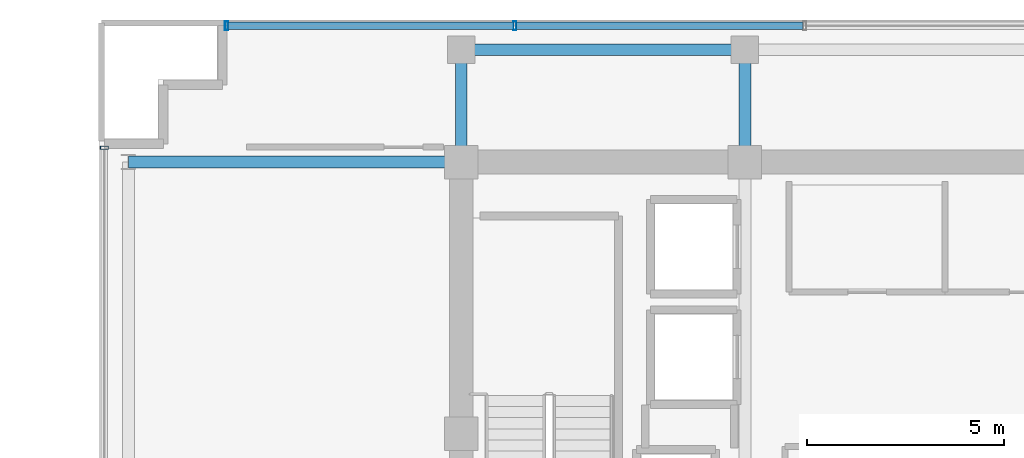
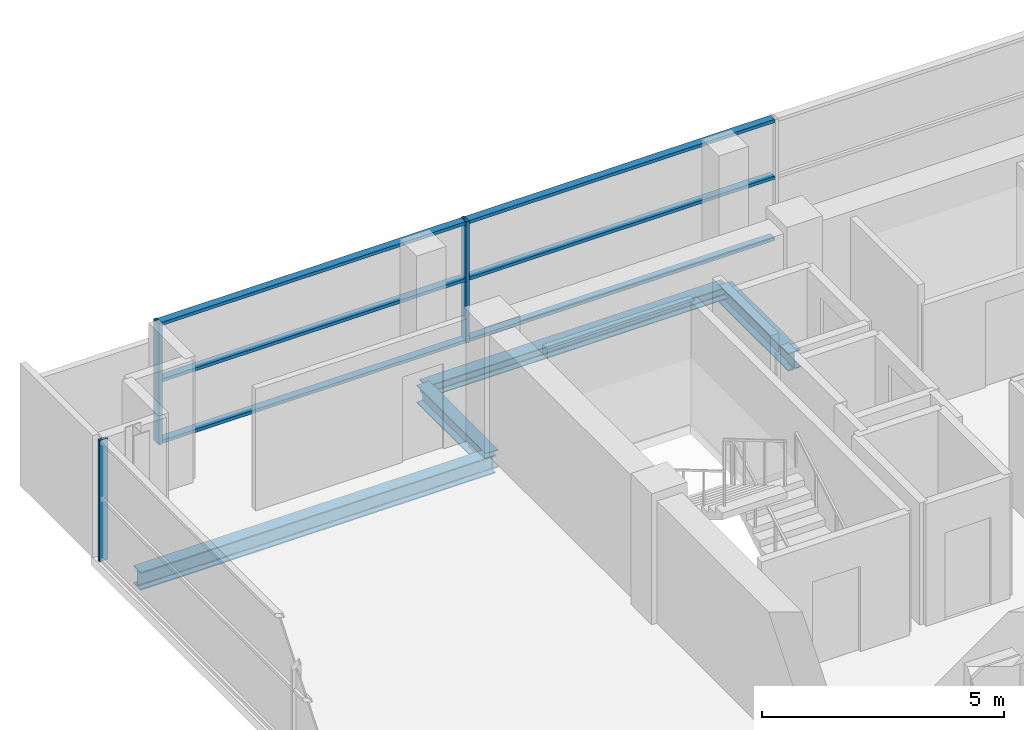
# One storey, part 11 of 22: 9 members, 4 beams, 2 elements without a shape of their own.
"""IFC4 building model written with IfcOpenShell, lengths in metres."""

from ifc_helpers import new_model, si_unit, direction, frame, origin, origin_2d, place, context, subcontext, project, spatial, hollow_rectangle, i_section, extrude, source, transform, mapped, material, layer, layer_set, material_profile, profile_set, type_object, element, aggregate, save


model = new_model("IFC4")

# Units and contexts
model_context = context("Model", 3, precision=1e-05, world=origin(), true_north=direction((0.0, 1.0)))
body_context = subcontext(model_context, "Body", "Model", "MODEL_VIEW")
ifc_project = project(units=[si_unit("LENGTHUNIT", "METRE"), si_unit("AREAUNIT", "SQUARE_METRE"), si_unit("VOLUMEUNIT", "CUBIC_METRE"), si_unit("PLANEANGLEUNIT", "RADIAN"), si_unit("MASSUNIT", "GRAM", prefix="KILO")], contexts=[model_context])

# Site, building, storey
site_placement = place(None, origin())
site = spatial("IfcSite", under=ifc_project, at=site_placement, CompositionType="ELEMENT")
building_placement = place(site_placement, origin())
building = spatial("IfcBuilding", under=site, at=building_placement, Name="Zarnakvel Exchange Tower", CompositionType="ELEMENT")
storey_placement = place(building_placement, frame((0.0, 0.0, 228.699951171875)))
storey = spatial("IfcBuildingStorey", under=building, at=storey_placement, Name="L64", CompositionType="ELEMENT", Elevation=228.699951171875)

# Beams
ifc_material_1 = material(Name="Steel S355", Category="steel")
ifc_material_profile_1 = material_profile(ifc_material_1, i_section(OverallWidth=0.300048828125, OverallDepth=0.449951171875, WebThickness=0.013916015625, FlangeThickness=0.02587890625, FilletRadius=0.027099609375, at=origin_2d()))
ifc_profile_set_1 = profile_set([ifc_material_profile_1], Name="Steel S355")
beam_type_1 = type_object("IfcBeamType", Name="G-07", PredefinedType="BEAM", material=ifc_profile_set_1)
beam_1_placement = place(storey_placement, frame((-22.85009765625, 13.5, -0.449951171875), z_axis=(1.0, 0.0, 0.0), x_axis=(0.0, 1.0, 0.0)))
element("IfcBeam", 1, at=beam_1_placement, inside=storey, type_object=beam_type_1, Name="L64 Tower E-W Frame Beam", PredefinedType="BEAM", context=body_context, shape_type="SweptSolid", body=[
    extrude(i_section(OverallWidth=0.300048828125, OverallDepth=0.449951171875, WebThickness=0.013916015625, FlangeThickness=0.02587890625, FilletRadius=0.027099609375, at=origin_2d()), origin(), (0.0, 0.0, 1.0), 8.4501953125),
])
for number, where, z_axis, x_axis, name in (
    (2, (-14.39990234375, 13.5, -0.449951171875), (0.0, 1.0, 0.0), (-1.0, 0.0, 0.0), "L64 Tower N-S Frame Beam"),
    (3, (-7.199951171875, 13.5, -0.449951171875), (0.0, 1.0, 0.0), (-1.0, 0.0, 0.0), "L64 Tower N-S Frame Beam"),
):
    element("IfcBeam", number, at=place(storey_placement, frame(where, z_axis=z_axis, x_axis=x_axis)), inside=storey, type_object=beam_type_1, Name=name, PredefinedType="BEAM", context=body_context, shape_type="SweptSolid", body=[
        extrude(i_section(OverallWidth=0.300048828125, OverallDepth=0.449951171875, WebThickness=0.013916015625, FlangeThickness=0.02587890625, FilletRadius=0.027099609375, at=origin_2d()), origin(), (0.0, 0.0, 1.0), 2.85009765625),
    ])
ifc_material_profile_2 = material_profile(ifc_material_1, i_section(OverallWidth=0.300048828125, OverallDepth=0.300048828125, WebThickness=0.010986328125, FlangeThickness=0.01904296875, FilletRadius=0.027099609375, at=origin_2d()))
ifc_profile_set_2 = profile_set([ifc_material_profile_2], Name="Steel S355")
beam_type_2 = type_object("IfcBeamType", Name="SP-03", PredefinedType="SPANDREL", material=ifc_profile_set_2)
beam_2_placement = place(storey_placement, frame((-14.39990234375, 16.35009765625, -0.375), z_axis=(1.0, 0.0, 0.0), x_axis=(0.0, 1.0, 0.0)))
element("IfcBeam", 4, at=beam_2_placement, inside=storey, type_object=beam_type_2, Name="L64 Tower E-W Frame Beam", PredefinedType="SPANDREL", context=body_context, shape_type="SweptSolid", body=[
    extrude(i_section(OverallWidth=0.300048828125, OverallDepth=0.300048828125, WebThickness=0.010986328125, FlangeThickness=0.01904296875, FilletRadius=0.027099609375, at=origin_2d()), origin(), (0.0, 0.0, 1.0), 7.199951171875),
])

# Curtain wall, member
ifc_material_2 = material(Name="Architectural Bronze Anodised Aluminium", Category="aluminium")
ifc_layer_1 = layer(ifc_material_2, 0.199951171875)
ifc_layer_set_1 = layer_set([ifc_layer_1], Name="Architectural Bronze Anodised Aluminium")
curtain_wall_type_1 = type_object("IfcCurtainWallType", Name="CW-04", PredefinedType="NOTDEFINED", material=ifc_layer_set_1)
curtain_wall_1_placement = place(storey_placement, origin())
curtain_wall_1 = element("IfcCurtainWall", 5, at=curtain_wall_1_placement, inside=storey, type_object=curtain_wall_type_1, Name="L64 Curtain Wall CW-L64-WN (CW-04)", PredefinedType="NOTDEFINED")
ifc_material_profile_3 = material_profile(ifc_material_2, hollow_rectangle(XDim=0.199951171875, YDim=0.074951171875, WallThickness=0.0048828125, at=origin_2d()))
ifc_profile_set_3 = profile_set([ifc_material_profile_3], Name="Architectural Bronze Anodised Aluminium")
member_type_1 = type_object("IfcMemberType", Name="CWM-04", PredefinedType="MULLION", material=ifc_profile_set_3)
shared_shape_1 = source(origin(), body_context, "Body", "SweptSolid", [
    extrude(hollow_rectangle(XDim=0.199951171875, YDim=0.074951171875, WallThickness=0.0048828125, at=origin_2d()), origin(), (0.0, 0.0, 1.0), 3.054931640625),
])
member_1_placement = place(storey_placement, frame((-23.4599609375, 13.862548828125, 0.0), z_axis=(0.0, 0.0, 1.0), x_axis=(-1.0, 0.0, 0.0)))
member_1 = element("IfcMember", 6, at=member_1_placement, type_object=member_type_1, Name="CW-04 mullion 3", PredefinedType="MULLION", context=body_context, shape_type="MappedRepresentation", body=[
    mapped(shared_shape_1, transform((0.0, 0.0, 0.0), x_axis=(1.0, 0.0, 0.0), y_axis=(0.0, 1.0, 0.0), z_axis=(0.0, 0.0, 1.0), scale=1.0)),
])
aggregate(curtain_wall_1, [member_1])

# Curtain wall, members
ifc_layer_2 = layer(ifc_material_2, 0.219970703125)
ifc_layer_set_2 = layer_set([ifc_layer_2], Name="Architectural Bronze Anodised Aluminium")
curtain_wall_type_2 = type_object("IfcCurtainWallType", Name="CW-03", PredefinedType="NOTDEFINED", material=ifc_layer_set_2)
curtain_wall_2_placement = place(storey_placement, origin())
curtain_wall_2 = element("IfcCurtainWall", 7, at=curtain_wall_2_placement, inside=storey, type_object=curtain_wall_type_2, Name="L64 Curtain Wall CW-L64-N1 (CW-03)", PredefinedType="NOTDEFINED")
ifc_material_profile_4 = material_profile(ifc_material_2, hollow_rectangle(XDim=0.219970703125, YDim=0.080078125, WallThickness=0.0048828125, at=origin_2d()))
ifc_profile_set_4 = profile_set([ifc_material_profile_4], Name="Architectural Bronze Anodised Aluminium")
member_type_2 = type_object("IfcMemberType", Name="CWM-03", PredefinedType="MULLION", material=ifc_profile_set_4)
shared_shape_2 = source(origin(), body_context, "Body", "SweptSolid", [
    extrude(hollow_rectangle(XDim=0.219970703125, YDim=0.080078125, WallThickness=0.0048828125, at=origin_2d()), origin(), (0.0, 0.0, 1.0), 3.054931640625),
])
member_2_placement = place(storey_placement, frame((-20.360107421875, 16.9599609375, 0.0), z_axis=(0.0, 0.0, 1.0), x_axis=(0.0, 1.0, 0.0)))
member_2 = element("IfcMember", 8, at=member_2_placement, type_object=member_type_2, Name="CW-03 mullion 1", PredefinedType="MULLION", context=body_context, shape_type="MappedRepresentation", body=[
    mapped(shared_shape_2, transform((0.0, 0.0, 0.0), x_axis=(1.0, 0.0, 0.0), y_axis=(0.0, 1.0, 0.0), z_axis=(0.0, 0.0, 1.0), scale=1.0)),
])
member_3_placement = place(storey_placement, frame((-13.0400390625, 16.9599609375, 0.0), z_axis=(0.0, 0.0, 1.0), x_axis=(0.0, 1.0, 0.0)))
member_3 = element("IfcMember", 9, at=member_3_placement, type_object=member_type_2, Name="CW-03 mullion 2", PredefinedType="MULLION", context=body_context, shape_type="MappedRepresentation", body=[
    mapped(shared_shape_2, transform((0.0, 0.0, 0.0), x_axis=(1.0, 0.0, 0.0), y_axis=(0.0, 1.0, 0.0), z_axis=(0.0, 0.0, 1.0), scale=1.0)),
])
ifc_material_profile_5 = material_profile(ifc_material_2, hollow_rectangle(XDim=0.179931640625, YDim=0.080078125, WallThickness=0.00390625, at=origin_2d()))
ifc_profile_set_5 = profile_set([ifc_material_profile_5], Name="Architectural Bronze Anodised Aluminium")
member_type_3 = type_object("IfcMemberType", Name="CWT-03", PredefinedType="USERDEFINED", material=ifc_profile_set_5)
shared_shape_3 = source(origin(), body_context, "Body", "SweptSolid", [
    extrude(hollow_rectangle(XDim=0.179931640625, YDim=0.080078125, WallThickness=0.00390625, at=origin_2d()), origin(), (0.0, 0.0, 1.0), 7.239990234375),
])
member_4_placement = place(storey_placement, frame((-20.320068359375, 16.9599609375, 0.0400390625), z_axis=(1.0, 0.0, 0.0), x_axis=(0.0, 1.0, 0.0)))
member_4 = element("IfcMember", 10, at=member_4_placement, type_object=member_type_3, Name="CW-03 transom 1.1", ObjectType="TRANSOM", PredefinedType="USERDEFINED", context=body_context, shape_type="MappedRepresentation", body=[
    mapped(shared_shape_3, transform((0.0, 0.0, 0.0), x_axis=(1.0, 0.0, 0.0), y_axis=(0.0, 1.0, 0.0), z_axis=(0.0, 0.0, 1.0), scale=1.0)),
])
member_5_placement = place(storey_placement, frame((-20.320068359375, 16.9599609375, 1.588623046875), z_axis=(1.0, 0.0, 0.0), x_axis=(0.0, 1.0, 0.0)))
member_5 = element("IfcMember", 11, at=member_5_placement, type_object=member_type_3, Name="CW-03 transom 1.2", ObjectType="TRANSOM", PredefinedType="USERDEFINED", context=body_context, shape_type="MappedRepresentation", body=[
    mapped(shared_shape_3, transform((0.0, 0.0, 0.0), x_axis=(1.0, 0.0, 0.0), y_axis=(0.0, 1.0, 0.0), z_axis=(0.0, 0.0, 1.0), scale=1.0)),
])
member_6_placement = place(storey_placement, frame((-20.320068359375, 16.9599609375, 3.01513671875), z_axis=(1.0, 0.0, 0.0), x_axis=(0.0, 1.0, 0.0)))
member_6 = element("IfcMember", 12, at=member_6_placement, type_object=member_type_3, Name="CW-03 transom 1.3", ObjectType="TRANSOM", PredefinedType="USERDEFINED", context=body_context, shape_type="MappedRepresentation", body=[
    mapped(shared_shape_3, transform((0.0, 0.0, 0.0), x_axis=(1.0, 0.0, 0.0), y_axis=(0.0, 1.0, 0.0), z_axis=(0.0, 0.0, 1.0), scale=1.0)),
])
shared_shape_4 = source(origin(), body_context, "Body", "SweptSolid", [
    extrude(hollow_rectangle(XDim=0.179931640625, YDim=0.080078125, WallThickness=0.00390625, at=origin_2d()), origin(), (0.0, 0.0, 1.0), 7.280029296875),
])
member_7_placement = place(storey_placement, frame((-13.0, 16.9599609375, 0.0400390625), z_axis=(1.0, 0.0, 0.0), x_axis=(0.0, 1.0, 0.0)))
member_7 = element("IfcMember", 13, at=member_7_placement, type_object=member_type_3, Name="CW-03 transom 2.1", ObjectType="TRANSOM", PredefinedType="USERDEFINED", context=body_context, shape_type="MappedRepresentation", body=[
    mapped(shared_shape_4, transform((0.0, 0.0, 0.0), x_axis=(1.0, 0.0, 0.0), y_axis=(0.0, 1.0, 0.0), z_axis=(0.0, 0.0, 1.0), scale=1.0)),
])
member_8_placement = place(storey_placement, frame((-13.0, 16.9599609375, 1.588623046875), z_axis=(1.0, 0.0, 0.0), x_axis=(0.0, 1.0, 0.0)))
member_8 = element("IfcMember", 14, at=member_8_placement, type_object=member_type_3, Name="CW-03 transom 2.2", ObjectType="TRANSOM", PredefinedType="USERDEFINED", context=body_context, shape_type="MappedRepresentation", body=[
    mapped(shared_shape_4, transform((0.0, 0.0, 0.0), x_axis=(1.0, 0.0, 0.0), y_axis=(0.0, 1.0, 0.0), z_axis=(0.0, 0.0, 1.0), scale=1.0)),
])
member_9_placement = place(storey_placement, frame((-13.0, 16.9599609375, 3.01513671875), z_axis=(1.0, 0.0, 0.0), x_axis=(0.0, 1.0, 0.0)))
member_9 = element("IfcMember", 15, at=member_9_placement, type_object=member_type_3, Name="CW-03 transom 2.3", ObjectType="TRANSOM", PredefinedType="USERDEFINED", context=body_context, shape_type="MappedRepresentation", body=[
    mapped(shared_shape_4, transform((0.0, 0.0, 0.0), x_axis=(1.0, 0.0, 0.0), y_axis=(0.0, 1.0, 0.0), z_axis=(0.0, 0.0, 1.0), scale=1.0)),
])
aggregate(curtain_wall_2, [member_2, member_3, member_4, member_5, member_6, member_7, member_8, member_9])

save(model, "model.ifc")
